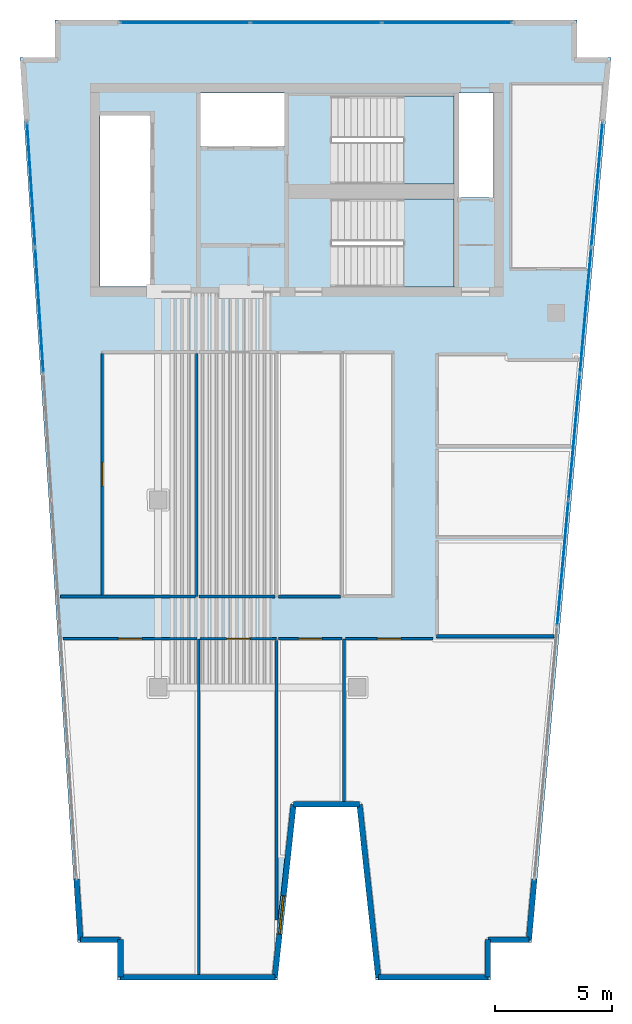
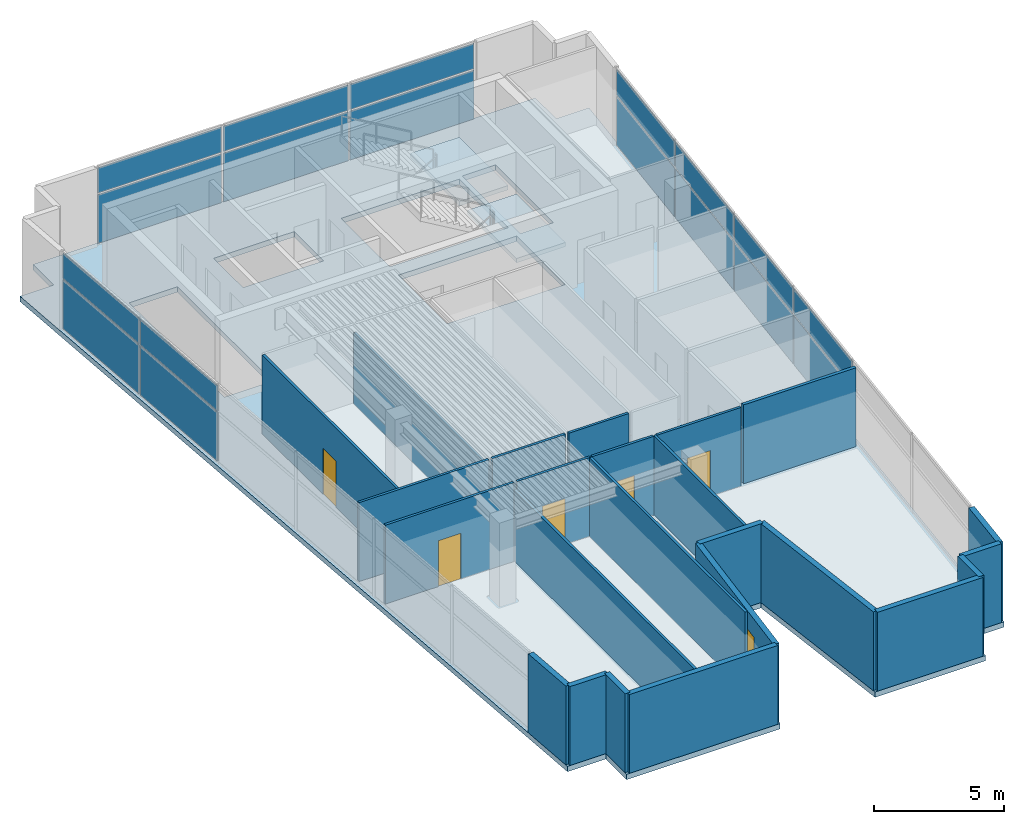
# One storey, part 3 of 7: 24 walls, 18 plates, 5 doors, 3 slabs, 1 window, 6 openings, 5 elements without a shape of their own.
"""IFC4 building model written with IfcOpenShell, lengths in metres."""

from ifc_helpers import new_model, si_unit, direction, frame, frame_2d, origin, origin_2d, place, context, subcontext, project, spatial, polyline, rectangle, outline, extrude, material, layer, layer_set, type_object, element, fill, aggregate, save


model = new_model("IFC4")

# Units and contexts
model_context = context("Model", 3, precision=1e-05, world=origin(), true_north=direction((0.0, 1.0)))
body_context = subcontext(model_context, "Body", "Model", "MODEL_VIEW")
ifc_project = project(units=[si_unit("LENGTHUNIT", "METRE"), si_unit("AREAUNIT", "SQUARE_METRE"), si_unit("VOLUMEUNIT", "CUBIC_METRE"), si_unit("PLANEANGLEUNIT", "RADIAN"), si_unit("MASSUNIT", "GRAM", prefix="KILO")], contexts=[model_context])

# Site, building, storey
site_placement = place(None, origin())
site = spatial("IfcSite", under=ifc_project, at=site_placement, CompositionType="ELEMENT")
building_placement = place(site_placement, origin())
building = spatial("IfcBuilding", under=site, at=building_placement, Name="Caeloran Harvest Quay", CompositionType="ELEMENT")
storey_placement = place(building_placement, frame((0.0, 0.0, 304.10009765625)))
storey = spatial("IfcBuildingStorey", under=building, at=storey_placement, Name="L73", CompositionType="ELEMENT", Elevation=304.10009765625)

# Curtain wall, plates
ifc_material_1 = material(Name="Aluminium 6063-T6 and Low-E Glazing", Category="aluminium")
ifc_layer_1 = layer(ifc_material_1, 0.239990234375, Name="Aluminium 6063-T6 and Low-E Glazing")
ifc_layer_set_1 = layer_set([ifc_layer_1], Name="Aluminium 6063-T6 and Low-E Glazing")
curtain_wall_type = type_object("IfcCurtainWallType", Name="CW-SYS-CW-7", PredefinedType="USERDEFINED", material=ifc_layer_set_1)
curtain_wall_1_placement = place(storey_placement, origin())
curtain_wall_1 = element("IfcCurtainWall", 1, at=curtain_wall_1_placement, inside=storey, type_object=curtain_wall_type, Name="L73 Unitised Curtain Wall CW-7 Run 3", ObjectType="CURTAIN_WALL", PredefinedType="USERDEFINED")
ifc_material_2 = material(Name="Low-E Double Glazed Vision Glass Unit", Category="glass")
ifc_layer_2 = layer(ifc_material_2, 0.035888671875, Name="Low-E Double Glazed Vision Glass Unit")
ifc_layer_set_2 = layer_set([ifc_layer_2], Name="Low-E Double Glazed Vision Glass Unit")
plate_type = type_object("IfcPlateType", Name="CW-VISION-PANEL", PredefinedType="CURTAIN_PANEL", material=ifc_layer_set_2)
plate_1_placement = place(storey_placement, frame((3.430419921875, 31.0927734375, 0.080078125), z_axis=(0.0, 0.0, 1.0), x_axis=(-0.065166552901, 0.997874401106, 0.0)))
plate_1 = element("IfcPlate", 2, at=plate_1_placement, type_object=plate_type, Name="CW-7 panel 5.1", PredefinedType="CURTAIN_PANEL", context=body_context, shape_type="SweptSolid", body=[
    extrude(rectangle(XDim=5.32666015625, YDim=0.035888671875, at=origin_2d()), origin(), (0.0, 0.0, 1.0), 2.280029296875),
])
plate_2_placement = place(storey_placement, frame((3.430419921875, 31.0927734375, 2.43994140625), z_axis=(0.0, 0.0, 1.0), x_axis=(-0.065166552901, 0.997874401106, 0.0)))
plate_2 = element("IfcPlate", 3, at=plate_2_placement, type_object=plate_type, Name="CW-7 panel 5.2", PredefinedType="CURTAIN_PANEL", context=body_context, shape_type="SweptSolid", body=[
    extrude(rectangle(XDim=5.32666015625, YDim=0.035888671875, at=origin_2d()), origin(), (0.0, 0.0, 1.0), 1.179931640625),
])
plate_3_placement = place(storey_placement, frame((3.07958984375, 36.468017578125, 0.080078125), z_axis=(0.0, 0.0, 1.0), x_axis=(-0.065166552901, 0.997874401106, 0.0)))
plate_3 = element("IfcPlate", 4, at=plate_3_placement, type_object=plate_type, Name="CW-7 panel 6.1", PredefinedType="CURTAIN_PANEL", context=body_context, shape_type="SweptSolid", body=[
    extrude(rectangle(XDim=5.28662109375, YDim=0.035888671875, at=origin_2d()), origin(), (0.0, 0.0, 1.0), 2.280029296875),
])
plate_4_placement = place(storey_placement, frame((3.07958984375, 36.468017578125, 2.43994140625), z_axis=(0.0, 0.0, 1.0), x_axis=(-0.065166552901, 0.997874401106, 0.0)))
plate_4 = element("IfcPlate", 5, at=plate_4_placement, type_object=plate_type, Name="CW-7 panel 6.2", PredefinedType="CURTAIN_PANEL", context=body_context, shape_type="SweptSolid", body=[
    extrude(rectangle(XDim=5.28662109375, YDim=0.035888671875, at=origin_2d()), origin(), (0.0, 0.0, 1.0), 1.179931640625),
])
aggregate(curtain_wall_1, [plate_1, plate_2, plate_3, plate_4])

curtain_wall_2_placement = place(storey_placement, origin())
curtain_wall_2 = element("IfcCurtainWall", 6, at=curtain_wall_2_placement, inside=storey, type_object=curtain_wall_type, Name="L73 Unitised Curtain Wall CW-7 Run 6", ObjectType="CURTAIN_WALL", PredefinedType="USERDEFINED")
plate_5_placement = place(storey_placement, frame((9.64990234375, 43.3798828125, 0.080078125), z_axis=(0.0, 0.0, 1.0), x_axis=(1.0, 0.0, 0.0)))
plate_5 = element("IfcPlate", 7, at=plate_5_placement, type_object=plate_type, Name="CW-7 panel 1.1", PredefinedType="CURTAIN_PANEL", context=body_context, shape_type="SweptSolid", body=[
    extrude(rectangle(XDim=5.5, YDim=0.035888671875, at=origin_2d()), origin(), (0.0, 0.0, 1.0), 2.280029296875),
])
plate_6_placement = place(storey_placement, frame((9.64990234375, 43.3798828125, 2.43994140625), z_axis=(0.0, 0.0, 1.0), x_axis=(1.0, 0.0, 0.0)))
plate_6 = element("IfcPlate", 8, at=plate_6_placement, type_object=plate_type, Name="CW-7 panel 1.2", PredefinedType="CURTAIN_PANEL", context=body_context, shape_type="SweptSolid", body=[
    extrude(rectangle(XDim=5.5, YDim=0.035888671875, at=origin_2d()), origin(), (0.0, 0.0, 1.0), 1.179931640625),
])
plate_7_placement = place(storey_placement, frame((15.25, 43.3798828125, 0.080078125), z_axis=(0.0, 0.0, 1.0), x_axis=(1.0, 0.0, 0.0)))
plate_7 = element("IfcPlate", 9, at=plate_7_placement, type_object=plate_type, Name="CW-7 panel 2.1", PredefinedType="CURTAIN_PANEL", context=body_context, shape_type="SweptSolid", body=[
    extrude(rectangle(XDim=5.5400390625, YDim=0.035888671875, at=origin_2d()), origin(), (0.0, 0.0, 1.0), 2.280029296875),
])
plate_8_placement = place(storey_placement, frame((15.25, 43.3798828125, 2.43994140625), z_axis=(0.0, 0.0, 1.0), x_axis=(1.0, 0.0, 0.0)))
plate_8 = element("IfcPlate", 10, at=plate_8_placement, type_object=plate_type, Name="CW-7 panel 2.2", PredefinedType="CURTAIN_PANEL", context=body_context, shape_type="SweptSolid", body=[
    extrude(rectangle(XDim=5.5400390625, YDim=0.035888671875, at=origin_2d()), origin(), (0.0, 0.0, 1.0), 1.179931640625),
])
plate_9_placement = place(storey_placement, frame((20.85009765625, 43.3798828125, 0.080078125), z_axis=(0.0, 0.0, 1.0), x_axis=(1.0, 0.0, 0.0)))
plate_9 = element("IfcPlate", 11, at=plate_9_placement, type_object=plate_type, Name="CW-7 panel 3.1", PredefinedType="CURTAIN_PANEL", context=body_context, shape_type="SweptSolid", body=[
    extrude(rectangle(XDim=5.5, YDim=0.035888671875, at=origin_2d()), origin(), (0.0, 0.0, 1.0), 2.280029296875),
])
plate_10_placement = place(storey_placement, frame((20.85009765625, 43.3798828125, 2.43994140625), z_axis=(0.0, 0.0, 1.0), x_axis=(1.0, 0.0, 0.0)))
plate_10 = element("IfcPlate", 12, at=plate_10_placement, type_object=plate_type, Name="CW-7 panel 3.2", PredefinedType="CURTAIN_PANEL", context=body_context, shape_type="SweptSolid", body=[
    extrude(rectangle(XDim=5.5, YDim=0.035888671875, at=origin_2d()), origin(), (0.0, 0.0, 1.0), 1.179931640625),
])
aggregate(curtain_wall_2, [plate_5, plate_6, plate_7, plate_8, plate_9, plate_10])

curtain_wall_3_placement = place(storey_placement, origin())
curtain_wall_3 = element("IfcCurtainWall", 13, at=curtain_wall_3_placement, inside=storey, type_object=curtain_wall_type, Name="L73 Unitised Curtain Wall CW-7 Run 9", ObjectType="CURTAIN_WALL", PredefinedType="USERDEFINED")
plate_11_placement = place(storey_placement, frame((27.245849609375, 36.47216796875, 0.080078125), z_axis=(0.0, 0.0, 1.0), x_axis=(-0.089821065146, -0.995957918918, 0.0)))
plate_11 = element("IfcPlate", 14, at=plate_11_placement, type_object=plate_type, Name="CW-7 panel 1.1", PredefinedType="CURTAIN_PANEL", context=body_context, shape_type="SweptSolid", body=[
    extrude(rectangle(XDim=5.298828125, YDim=0.035888671875, at=origin_2d()), origin(), (0.0, 0.0, 1.0), 2.280029296875),
])
plate_12_placement = place(storey_placement, frame((27.245849609375, 36.47216796875, 2.43994140625), z_axis=(0.0, 0.0, 1.0), x_axis=(-0.089821065146, -0.995957918918, 0.0)))
plate_12 = element("IfcPlate", 15, at=plate_12_placement, type_object=plate_type, Name="CW-7 panel 1.2", PredefinedType="CURTAIN_PANEL", context=body_context, shape_type="SweptSolid", body=[
    extrude(rectangle(XDim=5.298828125, YDim=0.035888671875, at=origin_2d()), origin(), (0.0, 0.0, 1.0), 1.179931640625),
])
plate_13_placement = place(storey_placement, frame((26.7607421875, 31.09521484375, 0.080078125), z_axis=(0.0, 0.0, 1.0), x_axis=(-0.089821065146, -0.995957918918, 0.0)))
plate_13 = element("IfcPlate", 16, at=plate_13_placement, type_object=plate_type, Name="CW-7 panel 2.1", PredefinedType="CURTAIN_PANEL", context=body_context, shape_type="SweptSolid", body=[
    extrude(rectangle(XDim=5.338623046875, YDim=0.035888671875, at=origin_2d()), origin(), (0.0, 0.0, 1.0), 2.280029296875),
])
plate_14_placement = place(storey_placement, frame((26.7607421875, 31.09521484375, 2.43994140625), z_axis=(0.0, 0.0, 1.0), x_axis=(-0.089821065146, -0.995957918918, 0.0)))
plate_14 = element("IfcPlate", 17, at=plate_14_placement, type_object=plate_type, Name="CW-7 panel 2.2", PredefinedType="CURTAIN_PANEL", context=body_context, shape_type="SweptSolid", body=[
    extrude(rectangle(XDim=5.338623046875, YDim=0.035888671875, at=origin_2d()), origin(), (0.0, 0.0, 1.0), 1.179931640625),
])
plate_15_placement = place(storey_placement, frame((26.274169921875, 25.698486328125, 0.080078125), z_axis=(0.0, 0.0, 1.0), x_axis=(-0.089821065146, -0.995957918918, 0.0)))
plate_15 = element("IfcPlate", 18, at=plate_15_placement, type_object=plate_type, Name="CW-7 panel 3.1", PredefinedType="CURTAIN_PANEL", context=body_context, shape_type="SweptSolid", body=[
    extrude(rectangle(XDim=5.338623046875, YDim=0.035888671875, at=origin_2d()), origin(), (0.0, 0.0, 1.0), 2.280029296875),
])
plate_16_placement = place(storey_placement, frame((26.274169921875, 25.698486328125, 2.43994140625), z_axis=(0.0, 0.0, 1.0), x_axis=(-0.089821065146, -0.995957918918, 0.0)))
plate_16 = element("IfcPlate", 19, at=plate_16_placement, type_object=plate_type, Name="CW-7 panel 3.2", PredefinedType="CURTAIN_PANEL", context=body_context, shape_type="SweptSolid", body=[
    extrude(rectangle(XDim=5.338623046875, YDim=0.035888671875, at=origin_2d()), origin(), (0.0, 0.0, 1.0), 1.179931640625),
])
plate_17_placement = place(storey_placement, frame((25.787353515625, 20.301513671875, 0.080078125), z_axis=(0.0, 0.0, 1.0), x_axis=(-0.089821065146, -0.995957918918, 0.0)))
plate_17 = element("IfcPlate", 20, at=plate_17_placement, type_object=plate_type, Name="CW-7 panel 4.1", PredefinedType="CURTAIN_PANEL", context=body_context, shape_type="SweptSolid", body=[
    extrude(rectangle(XDim=5.338623046875, YDim=0.035888671875, at=origin_2d()), origin(), (0.0, 0.0, 1.0), 2.280029296875),
])
plate_18_placement = place(storey_placement, frame((25.787353515625, 20.301513671875, 2.43994140625), z_axis=(0.0, 0.0, 1.0), x_axis=(-0.089821065146, -0.995957918918, 0.0)))
plate_18 = element("IfcPlate", 21, at=plate_18_placement, type_object=plate_type, Name="CW-7 panel 4.2", PredefinedType="CURTAIN_PANEL", context=body_context, shape_type="SweptSolid", body=[
    extrude(rectangle(XDim=5.338623046875, YDim=0.035888671875, at=origin_2d()), origin(), (0.0, 0.0, 1.0), 1.179931640625),
])
aggregate(curtain_wall_3, [plate_11, plate_12, plate_13, plate_14, plate_15, plate_16, plate_17, plate_18])

# Slab
ifc_material_3 = material(Name="Concrete C50/60", Category="concrete")
ifc_layer_3 = layer(ifc_material_3, 0.25, Name="Concrete C50/60")
ifc_layer_set_3 = layer_set([ifc_layer_3], Name="Concrete C50/60")
slab_type_1 = type_object("IfcSlabType", Name="SLAB-FS-250", PredefinedType="FLOOR", material=ifc_layer_set_3)
slab_1_placement = place(storey_placement, frame((0.0, 0.0, -0.25)))
element("IfcSlab", 22, at=slab_1_placement, inside=storey, type_object=slab_type_1, Name="L73 Structural Floor Slab", PredefinedType="FLOOR", context=body_context, shape_type="SweptSolid", body=[
    extrude(outline(polyline([(6.777587890625, 2.5), (13.592529296875, 2.5), (14.392578125, 9.8798828125), (17.0, 9.8798828125), (17.800048828125, 2.5), (22.702392578125, 2.5), (22.702392578125, 4.10009765625), (24.44677734375, 4.10009765625), (27.855712890625, 41.89990234375), (26.39990234375, 41.89990234375), (26.39990234375, 43.5), (4.10009765625, 43.5), (4.10009765625, 41.89990234375), (2.6044921875, 41.89990234375), (5.072998046875, 4.10009765625), (6.777587890625, 4.10009765625), (6.777587890625, 2.5)]), holes=[polyline([(21.14990234375, 32.10009765625), (15.89990234375, 32.10009765625), (15.89990234375, 35.85009765625), (21.14990234375, 35.85009765625), (21.14990234375, 32.10009765625)]), polyline([(8.159912109375, 39.419921875), (8.159912109375, 32.1201171875), (6.02001953125, 32.1201171875), (6.02001953125, 39.419921875), (8.159912109375, 39.419921875)]), polyline([(22.830078125, 40.3798828125), (22.830078125, 35.919921875), (21.35009765625, 35.919921875), (21.35009765625, 40.3798828125), (22.830078125, 40.3798828125)]), polyline([(15.89990234375, 36.5), (15.89990234375, 40.25), (21.14990234375, 40.25), (21.14990234375, 36.5), (15.89990234375, 36.5)]), polyline([(13.89990234375, 38.1201171875), (10.320068359375, 38.1201171875), (10.320068359375, 40.3798828125), (13.89990234375, 40.3798828125), (13.89990234375, 38.1201171875)])]), origin(), (0.0, 0.0, 1.0), 0.25),
])

# Stair, slab
stair_type = type_object("IfcStairType", Name="STAIR-STC-180", PredefinedType="HALF_TURN_STAIR", material=ifc_material_3)
stair_1_placement = place(storey_placement, origin())
stair_1 = element("IfcStair", 23, at=stair_1_placement, inside=storey, type_object=stair_type, Name="L73 Core Pressurized Exit Stair ST-C1", PredefinedType="HALF_TURN_STAIR")
ifc_layer_4 = layer(ifc_material_3, 0.219970703125, Name="Concrete C50/60")
ifc_layer_set_4 = layer_set([ifc_layer_4], Name="Concrete C50/60")
slab_type_2 = type_object("IfcSlabType", Name="STAIR-LANDING-220", PredefinedType="LANDING", material=ifc_layer_set_4)
slab_2_placement = place(storey_placement, frame((0.0, 0.0, 1.77490234375)))
slab_2 = element("IfcSlab", 24, at=slab_2_placement, type_object=slab_type_2, Name="ST-C1 landing 1", PredefinedType="LANDING", context=body_context, shape_type="SweptSolid", body=[
    extrude(outline(polyline([(18.97998046875, 36.5), (21.14990234375, 36.5), (21.14990234375, 40.25), (18.97998046875, 40.25), (18.97998046875, 36.5)])), origin(), (0.0, 0.0, 1.0), 0.199951171875),
])
aggregate(stair_1, [slab_2])

stair_2_placement = place(storey_placement, origin())
stair_2 = element("IfcStair", 25, at=stair_2_placement, inside=storey, type_object=stair_type, Name="L73 Core Pressurized Exit Stair ST-C2", PredefinedType="HALF_TURN_STAIR")
slab_3_placement = place(storey_placement, frame((0.0, 0.0, 1.77490234375)))
slab_3 = element("IfcSlab", 26, at=slab_3_placement, type_object=slab_type_2, Name="ST-C2 landing 1", PredefinedType="LANDING", context=body_context, shape_type="SweptSolid", body=[
    extrude(outline(polyline([(18.97998046875, 32.10009765625), (21.14990234375, 32.10009765625), (21.14990234375, 35.85009765625), (18.97998046875, 35.85009765625), (18.97998046875, 32.10009765625)])), origin(), (0.0, 0.0, 1.0), 0.199951171875),
])
aggregate(stair_2, [slab_3])

# Walls
ifc_material_4 = material(Name="Precast concrete C50/60", Category="concrete")
ifc_layer_5 = layer(ifc_material_4, 0.239990234375, Name="Precast concrete C50/60")
ifc_layer_set_5 = layer_set([ifc_layer_5], Name="Precast concrete C50/60")
wall_type_1 = type_object("IfcWallType", Name="ENV-WALL-EW-240", PredefinedType="STANDARD", material=ifc_layer_set_5)
wall_1_placement = place(storey_placement, frame((6.8974609375, 2.6201171875, 0.0), z_axis=(0.0, 0.0, 1.0), x_axis=(0.0, 1.0, 0.0)))
element("IfcWall", 27, at=wall_1_placement, inside=storey, type_object=wall_type_1, Name="L73 Exterior Precast Concrete Facade Wall 1", PredefinedType="STANDARD", context=body_context, shape_type="SweptSolid", body=[
    extrude(rectangle(XDim=1.599853515625, YDim=0.239990234375, at=frame_2d((0.7998046875, 0.0))), origin(), (0.0, 0.0, 1.0), 3.699951171875),
])
wall_2_placement = place(storey_placement, frame((6.8974609375, 4.219970703125, 0.0), z_axis=(0.0, 0.0, 1.0), x_axis=(-1.0, 0.0, 0.0)))
element("IfcWall", 28, at=wall_2_placement, inside=storey, type_object=wall_type_1, Name="L73 Exterior Precast Concrete Facade Wall 2", PredefinedType="STANDARD", context=body_context, shape_type="SweptSolid", body=[
    extrude(rectangle(XDim=1.712158203125, YDim=0.239990234375, at=frame_2d((0.85595703125, 0.0))), origin(), (0.0, 0.0, 1.0), 3.699951171875),
])
for number, where, z_axis, x_axis, name in (
    (29, (5.185302734375, 4.219970703125, 0.0), (0.0, 0.0, 1.0), (-0.065073039336, 0.997880503643, 0.0), "L73 Exterior Facade Corner Pier Wall 3A"),
    (30, (24.570556640625, 6.8095703125, 0.0), (0.0, 0.0, 1.0), (-0.089765303723, -0.995962946222, 0.0), "L73 Exterior Facade Corner Pier Wall 9B"),
):
    element("IfcWall", number, at=place(storey_placement, frame(where, z_axis=z_axis, x_axis=x_axis)), inside=storey, type_object=wall_type_1, Name=name, PredefinedType="STANDARD", context=body_context, shape_type="SweptSolid", body=[
        extrude(rectangle(XDim=2.60009765625, YDim=0.239990234375, at=frame_2d((1.300048828125, 0.0))), origin(), (0.0, 0.0, 1.0), 3.699951171875),
    ])
wall_3_placement = place(storey_placement, frame((24.337158203125, 4.219970703125, 0.0), z_axis=(0.0, 0.0, 1.0), x_axis=(-1.0, 0.0, 0.0)))
element("IfcWall", 31, at=wall_3_placement, inside=storey, type_object=wall_type_1, Name="L73 Exterior Precast Concrete Facade Wall 10", PredefinedType="STANDARD", context=body_context, shape_type="SweptSolid", body=[
    extrude(rectangle(XDim=1.754638671875, YDim=0.239990234375, at=frame_2d((0.87744140625, 0.0))), origin(), (0.0, 0.0, 1.0), 3.699951171875),
])
wall_4_placement = place(storey_placement, frame((22.58251953125, 4.219970703125, 0.0), z_axis=(0.0, 0.0, 1.0), x_axis=(0.0, -1.0, 0.0)))
element("IfcWall", 32, at=wall_4_placement, inside=storey, type_object=wall_type_1, Name="L73 Exterior Precast Concrete Facade Wall 11", PredefinedType="STANDARD", context=body_context, shape_type="SweptSolid", body=[
    extrude(rectangle(XDim=1.599853515625, YDim=0.239990234375, at=frame_2d((0.7998046875, 0.0))), origin(), (0.0, 0.0, 1.0), 3.699951171875),
])
wall_5_placement = place(storey_placement, frame((22.58251953125, 2.6201171875, 0.0), z_axis=(0.0, 0.0, 1.0), x_axis=(-1.0, 0.0, 0.0)))
element("IfcWall", 33, at=wall_5_placement, inside=storey, type_object=wall_type_1, Name="L73 Exterior Precast Concrete Facade Wall 12", PredefinedType="STANDARD", context=body_context, shape_type="SweptSolid", body=[
    extrude(rectangle(XDim=4.6748046875, YDim=0.239990234375, at=frame_2d((2.33740234375, 0.0))), origin(), (0.0, 0.0, 1.0), 3.699951171875),
])
wall_6_placement = place(storey_placement, frame((17.90771484375, 2.6201171875, 0.0), z_axis=(0.0, 0.0, 1.0), x_axis=(-0.107777936076, 0.994174992894, 0.0)))
element("IfcWall", 34, at=wall_6_placement, inside=storey, type_object=wall_type_1, Name="L73 Exterior Precast Concrete Facade Wall 13", PredefinedType="STANDARD", context=body_context, shape_type="SweptSolid", body=[
    extrude(rectangle(XDim=7.423095703125, YDim=0.239990234375, at=frame_2d((3.71142578125, 0.0))), origin(), (0.0, 0.0, 1.0), 3.699951171875),
])
wall_7_placement = place(storey_placement, frame((17.107666015625, 10.0, 0.0), z_axis=(0.0, 0.0, 1.0), x_axis=(-1.0, 0.0, 0.0)))
element("IfcWall", 35, at=wall_7_placement, inside=storey, type_object=wall_type_1, Name="L73 Exterior Precast Concrete Facade Wall 14", PredefinedType="STANDARD", context=body_context, shape_type="SweptSolid", body=[
    extrude(rectangle(XDim=2.82275390625, YDim=0.239990234375, at=frame_2d((1.411376953125, 0.0))), origin(), (0.0, 0.0, 1.0), 3.699951171875),
])

# Wall, opening, window
wall_8_placement = place(storey_placement, frame((14.284912109375, 10.0, 0.0), z_axis=(0.0, 0.0, 1.0), x_axis=(-0.107777936076, -0.994174992894, 0.0)))
wall_8 = element("IfcWall", 36, at=wall_8_placement, inside=storey, type_object=wall_type_1, Name="L73 Exterior Precast Concrete Facade Wall 15", PredefinedType="STANDARD", context=body_context, shape_type="SweptSolid", body=[
    extrude(rectangle(XDim=7.423095703125, YDim=0.239990234375, at=frame_2d((3.71142578125, 0.0))), origin(), (0.0, 0.0, 1.0), 3.699951171875),
])
opening_1_placement = place(wall_8_placement, frame((3.926025390625, 0.0, 0.89990234375)))
opening_1 = element("IfcOpeningElement", 37, at=opening_1_placement, cuts=wall_8, Name="Opening W-08", PredefinedType="OPENING", context=body_context, shape_type="SweptSolid", body=[
    extrude(rectangle(XDim=1.64990234375, YDim=1.949951171875, at=frame_2d((0.824951171875, 0.97509765625))), frame((0.0, 0.1298828125, 0.0), z_axis=(0.0, -1.0, 0.0), x_axis=(1.0, 0.0, 0.0)), (0.0, 0.0, 1.0), 0.260009765625),
])
ifc_material_5 = material(Name="Aluminium-Framed Low-E Laminated Glass", Category="aluminium")
window_type = type_object("IfcWindowType", Name="WIN-W-08", PartitioningType="SINGLE_PANEL", PredefinedType="WINDOW", material=ifc_material_5)
window_placement = place(opening_1_placement, origin())
window = element("IfcWindow", 38, at=window_placement, inside=storey, type_object=window_type, Name="L73 Facade Punched Window W-08", OverallHeight=1.949951171875, OverallWidth=1.64990234375, PartitioningType="SINGLE_PANEL", PredefinedType="WINDOW", context=body_context, shape_type="SweptSolid", body=[
    extrude(rectangle(XDim=1.64990234375, YDim=1.949951171875, at=frame_2d((0.824951171875, 0.97509765625))), frame((0.0, 0.030029296875, 0.0), z_axis=(0.0, -1.0, 0.0), x_axis=(1.0, 0.0, 0.0)), (0.0, 0.0, 1.0), 0.06005859375),
])
fill(opening_1, window)

# Walls
wall_9_placement = place(storey_placement, frame((13.48486328125, 2.6201171875, 0.0), z_axis=(0.0, 0.0, 1.0), x_axis=(-1.0, 0.0, 0.0)))
element("IfcWall", 39, at=wall_9_placement, inside=storey, type_object=wall_type_1, Name="L73 Exterior Precast Concrete Facade Wall 16", PredefinedType="STANDARD", context=body_context, shape_type="SweptSolid", body=[
    extrude(rectangle(XDim=6.58740234375, YDim=0.239990234375, at=frame_2d((3.293701171875, 0.0))), origin(), (0.0, 0.0, 1.0), 3.699951171875),
])
ifc_material_6 = material(Name="Single-Stud Acoustic Gypsum Office Partition", Category="gypsum")
ifc_layer_6 = layer(ifc_material_6, 0.112060546875, Name="Single-Stud Acoustic Gypsum Office Partition")
ifc_layer_set_6 = layer_set([ifc_layer_6], Name="Single-Stud Acoustic Gypsum Office Partition")
wall_type_2 = type_object("IfcWallType", Name="INT-WALL-PW-112", PredefinedType="PARTITIONING", material=ifc_layer_set_6)
wall_10_placement = place(storey_placement, frame((10.239990234375, 2.7451171875, 0.0), z_axis=(0.0, 0.0, 1.0), x_axis=(0.0, 1.0, 0.0)))
element("IfcWall", 40, at=wall_10_placement, inside=storey, type_object=wall_type_2, Name="West Harbour Tasting Kitchen Partition Wall", PredefinedType="PARTITIONING", context=body_context, shape_type="SweptSolid", body=[
    extrude(rectangle(XDim=14.324951171875, YDim=0.112060546875, at=frame_2d((7.16259765625, 0.0))), origin(), (0.0, 0.0, 1.0), 3.324951171875),
])

# Wall, opening, door
wall_11_placement = place(storey_placement, frame((10.301025390625, 17.070068359375, 0.0), z_axis=(0.0, 0.0, 1.0), x_axis=(1.0, 0.0, 0.0)))
wall_11 = element("IfcWall", 41, at=wall_11_placement, inside=storey, type_object=wall_type_2, Name="West Harbour Tasting Kitchen Partition Wall", PredefinedType="PARTITIONING", context=body_context, shape_type="SweptSolid", body=[
    extrude(rectangle(XDim=3.259033203125, YDim=0.112060546875, at=frame_2d((1.62939453125, 0.0))), origin(), (0.0, 0.0, 1.0), 3.699951171875),
])
opening_2_placement = place(wall_11_placement, frame((1.12939453125, 0.0, 0.0)))
opening_2 = element("IfcOpeningElement", 42, at=opening_2_placement, cuts=wall_11, Name="Opening ID-01", PredefinedType="OPENING", context=body_context, shape_type="SweptSolid", body=[
    extrude(rectangle(XDim=1.0, YDim=2.14990234375, at=frame_2d((0.5, 1.074951171875))), frame((0.0, 0.06591796875, 0.0), z_axis=(0.0, -1.0, 0.0), x_axis=(1.0, 0.0, 0.0)), (0.0, 0.0, 1.0), 0.132080078125),
])
ifc_material_7 = material(Name="FSC Solid-Core Ash Timber and Acoustic Seal", Category="wood")
door_type = type_object("IfcDoorType", Name="INTDOOR-ID-01", OperationType="NOTDEFINED", PredefinedType="DOOR", material=ifc_material_7)
door_1_placement = place(opening_2_placement, origin())
door_1 = element("IfcDoor", 43, at=door_1_placement, inside=storey, type_object=door_type, Name="West Harbour Tasting Kitchen Access Door", OperationType="SINGLE_SWING_LEFT", OverallHeight=2.14990234375, OverallWidth=1.0, PredefinedType="DOOR", context=body_context, shape_type="SweptSolid", body=[
    extrude(rectangle(XDim=1.0, YDim=2.14990234375, at=frame_2d((0.5, 1.074951171875))), frame((0.0, 0.02490234375, 0.0), z_axis=(0.0, -1.0, 0.0), x_axis=(1.0, 0.0, 0.0)), (0.0, 0.0, 1.0), 0.050048828125),
])
fill(opening_2, door_1)

# Wall
wall_12_placement = place(storey_placement, frame((13.56005859375, 17.009033203125, 0.0), z_axis=(0.0, 0.0, 1.0), x_axis=(0.0, -1.0, 0.0)))
element("IfcWall", 44, at=wall_12_placement, inside=storey, type_object=wall_type_2, Name="West Harbour Tasting Kitchen Partition Wall", PredefinedType="PARTITIONING", context=body_context, shape_type="SweptSolid", body=[
    extrude(rectangle(XDim=11.950927734375, YDim=0.112060546875, at=frame_2d((5.9755859375, 0.0))), origin(), (0.0, 0.0, 1.0), 3.699951171875),
])

# Wall, opening, door
wall_13_placement = place(storey_placement, frame((4.451416015625, 17.070068359375, 0.0), z_axis=(0.0, 0.0, 1.0), x_axis=(1.0, 0.0, 0.0)))
wall_13 = element("IfcWall", 45, at=wall_13_placement, inside=storey, type_object=wall_type_2, Name="Executive Dining Kitchen Partition Wall", PredefinedType="PARTITIONING", context=body_context, shape_type="SweptSolid", body=[
    extrude(rectangle(XDim=5.70849609375, YDim=0.112060546875, at=frame_2d((2.854248046875, 0.0))), origin(), (0.0, 0.0, 1.0), 3.699951171875),
])
opening_3_placement = place(wall_13_placement, frame((2.354248046875, 0.0, 0.0)))
opening_3 = element("IfcOpeningElement", 46, at=opening_3_placement, cuts=wall_13, Name="Opening ID-01", PredefinedType="OPENING", context=body_context, shape_type="SweptSolid", body=[
    extrude(rectangle(XDim=1.0, YDim=2.14990234375, at=frame_2d((0.5, 1.074951171875))), frame((0.0, 0.06591796875, 0.0), z_axis=(0.0, -1.0, 0.0), x_axis=(1.0, 0.0, 0.0)), (0.0, 0.0, 1.0), 0.132080078125),
])
door_2_placement = place(opening_3_placement, origin())
door_2 = element("IfcDoor", 47, at=door_2_placement, inside=storey, type_object=door_type, Name="Executive Dining Kitchen Access Door", OperationType="SINGLE_SWING_RIGHT", OverallHeight=2.14990234375, OverallWidth=1.0, PredefinedType="DOOR", context=body_context, shape_type="SweptSolid", body=[
    extrude(rectangle(XDim=1.0, YDim=2.14990234375, at=frame_2d((0.5, 1.074951171875))), frame((0.0, 0.02490234375, 0.0), z_axis=(0.0, -1.0, 0.0), x_axis=(1.0, 0.0, 0.0)), (0.0, 0.0, 1.0), 0.050048828125),
])
fill(opening_3, door_2)

# Wall
wall_14_placement = place(storey_placement, frame((16.43994140625, 10.125, 0.0), z_axis=(0.0, 0.0, 1.0), x_axis=(0.0, 1.0, 0.0)))
element("IfcWall", 48, at=wall_14_placement, inside=storey, type_object=wall_type_2, Name="Sommelier Prep Kitchen Partition Wall", PredefinedType="PARTITIONING", context=body_context, shape_type="SweptSolid", body=[
    extrude(rectangle(XDim=6.945068359375, YDim=0.112060546875, at=frame_2d((3.47265625, 0.0))), origin(), (0.0, 0.0, 1.0), 3.699951171875),
])

# Wall, opening, door
wall_15_placement = place(storey_placement, frame((16.5009765625, 17.070068359375, 0.0), z_axis=(0.0, 0.0, 1.0), x_axis=(1.0, 0.0, 0.0)))
wall_15 = element("IfcWall", 49, at=wall_15_placement, inside=storey, type_object=wall_type_2, Name="Sommelier Prep Kitchen Partition Wall", PredefinedType="PARTITIONING", context=body_context, shape_type="SweptSolid", body=[
    extrude(rectangle(XDim=3.735107421875, YDim=0.112060546875, at=frame_2d((1.86767578125, 0.0))), origin(), (0.0, 0.0, 1.0), 3.699951171875),
])
opening_4_placement = place(wall_15_placement, frame((1.367431640625, 0.0, 0.0)))
opening_4 = element("IfcOpeningElement", 50, at=opening_4_placement, cuts=wall_15, Name="Opening ID-01", PredefinedType="OPENING", context=body_context, shape_type="SweptSolid", body=[
    extrude(rectangle(XDim=1.0, YDim=2.14990234375, at=frame_2d((0.5, 1.074951171875))), frame((0.0, 0.06591796875, 0.0), z_axis=(0.0, -1.0, 0.0), x_axis=(1.0, 0.0, 0.0)), (0.0, 0.0, 1.0), 0.132080078125),
])
door_3_placement = place(opening_4_placement, origin())
door_3 = element("IfcDoor", 51, at=door_3_placement, inside=storey, type_object=door_type, Name="Sommelier Prep Kitchen Access Door", OperationType="SINGLE_SWING_LEFT", OverallHeight=2.14990234375, OverallWidth=1.0, PredefinedType="DOOR", context=body_context, shape_type="SweptSolid", body=[
    extrude(rectangle(XDim=1.0, YDim=2.14990234375, at=frame_2d((0.5, 1.074951171875))), frame((0.0, 0.02490234375, 0.0), z_axis=(0.0, -1.0, 0.0), x_axis=(1.0, 0.0, 0.0)), (0.0, 0.0, 1.0), 0.050048828125),
])
fill(opening_4, door_3)

wall_16_placement = place(storey_placement, frame((13.639892578125, 17.070068359375, 0.0), z_axis=(0.0, 0.0, 1.0), x_axis=(1.0, 0.0, 0.0)))
wall_16 = element("IfcWall", 52, at=wall_16_placement, inside=storey, type_object=wall_type_2, Name="Crown Culinary Meeting Room Partition Wall", PredefinedType="PARTITIONING", context=body_context, shape_type="SweptSolid", body=[
    extrude(rectangle(XDim=2.72021484375, YDim=0.112060546875, at=frame_2d((1.360107421875, 0.0))), origin(), (0.0, 0.0, 1.0), 3.699951171875),
])
opening_5_placement = place(wall_16_placement, frame((0.860107421875, 0.0, 0.0)))
opening_5 = element("IfcOpeningElement", 53, at=opening_5_placement, cuts=wall_16, Name="Opening ID-01", PredefinedType="OPENING", context=body_context, shape_type="SweptSolid", body=[
    extrude(rectangle(XDim=1.0, YDim=2.14990234375, at=frame_2d((0.5, 1.074951171875))), frame((0.0, 0.06591796875, 0.0), z_axis=(0.0, -1.0, 0.0), x_axis=(1.0, 0.0, 0.0)), (0.0, 0.0, 1.0), 0.132080078125),
])
door_4_placement = place(opening_5_placement, origin())
door_4 = element("IfcDoor", 54, at=door_4_placement, inside=storey, type_object=door_type, Name="Crown Culinary Meeting Room Access Door", OperationType="SINGLE_SWING_RIGHT", OverallHeight=2.14990234375, OverallWidth=1.0, PredefinedType="DOOR", context=body_context, shape_type="SweptSolid", body=[
    extrude(rectangle(XDim=1.0, YDim=2.14990234375, at=frame_2d((0.5, 1.074951171875))), frame((0.0, 0.02490234375, 0.0), z_axis=(0.0, -1.0, 0.0), x_axis=(1.0, 0.0, 0.0)), (0.0, 0.0, 1.0), 0.050048828125),
])
fill(opening_5, door_4)

# Walls
wall_17_placement = place(storey_placement, frame((10.159912109375, 29.259033203125, 0.0), z_axis=(0.0, 0.0, 1.0), x_axis=(0.0, -1.0, 0.0)))
element("IfcWall", 55, at=wall_17_placement, inside=storey, type_object=wall_type_2, Name="Sky-Atrium Observation Lounge Partition Wall", PredefinedType="PARTITIONING", context=body_context, shape_type="SweptSolid", body=[
    extrude(rectangle(XDim=10.379150390625, YDim=0.112060546875, at=frame_2d((5.189453125, 0.0))), origin(), (0.0, 0.0, 1.0), 3.324951171875),
])
wall_18_placement = place(storey_placement, frame((10.09912109375, 18.8798828125, 0.0), z_axis=(0.0, 0.0, 1.0), x_axis=(-1.0, 0.0, 0.0)))
element("IfcWall", 56, at=wall_18_placement, inside=storey, type_object=wall_type_2, Name="Sky-Atrium Observation Lounge Partition Wall", PredefinedType="PARTITIONING", context=body_context, shape_type="SweptSolid", body=[
    extrude(rectangle(XDim=5.765869140625, YDim=0.112060546875, at=frame_2d((2.8828125, 0.0))), origin(), (0.0, 0.0, 1.0), 3.699951171875),
])

# Wall, opening, door
wall_19_placement = place(storey_placement, frame((6.110107421875, 18.94091796875, 0.0), z_axis=(0.0, 0.0, 1.0), x_axis=(0.0, 1.0, 0.0)))
wall_19 = element("IfcWall", 57, at=wall_19_placement, inside=storey, type_object=wall_type_2, Name="Sky-Atrium Observation Lounge Partition Wall", PredefinedType="PARTITIONING", context=body_context, shape_type="SweptSolid", body=[
    extrude(rectangle(XDim=10.318115234375, YDim=0.112060546875, at=frame_2d((5.1591796875, 0.0))), origin(), (0.0, 0.0, 1.0), 3.699951171875),
])
opening_6_placement = place(wall_19_placement, frame((4.658935546875, 0.0, 0.0)))
opening_6 = element("IfcOpeningElement", 58, at=opening_6_placement, cuts=wall_19, Name="Opening ID-01", PredefinedType="OPENING", context=body_context, shape_type="SweptSolid", body=[
    extrude(rectangle(XDim=1.0, YDim=2.14990234375, at=frame_2d((0.5, 1.074951171875))), frame((0.0, 0.06591796875, 0.0), z_axis=(0.0, -1.0, 0.0), x_axis=(1.0, 0.0, 0.0)), (0.0, 0.0, 1.0), 0.132080078125),
])
door_5_placement = place(opening_6_placement, origin())
door_5 = element("IfcDoor", 59, at=door_5_placement, inside=storey, type_object=door_type, Name="Sky-Atrium Observation Lounge Access Door", OperationType="SINGLE_SWING_LEFT", OverallHeight=2.14990234375, OverallWidth=1.0, PredefinedType="DOOR", context=body_context, shape_type="SweptSolid", body=[
    extrude(rectangle(XDim=1.0, YDim=2.14990234375, at=frame_2d((0.5, 1.074951171875))), frame((0.0, 0.02490234375, 0.0), z_axis=(0.0, -1.0, 0.0), x_axis=(1.0, 0.0, 0.0)), (0.0, 0.0, 1.0), 0.050048828125),
])
fill(opening_6, door_5)

# Walls
wall_20_placement = place(storey_placement, frame((13.4990234375, 18.8798828125, 0.0), z_axis=(0.0, 0.0, 1.0), x_axis=(-1.0, 0.0, 0.0)))
element("IfcWall", 60, at=wall_20_placement, inside=storey, type_object=wall_type_2, Name="Botanical Tea Kitchen Partition Wall", PredefinedType="PARTITIONING", context=body_context, shape_type="SweptSolid", body=[
    extrude(rectangle(XDim=3.259033203125, YDim=0.112060546875, at=frame_2d((1.62939453125, 0.0))), origin(), (0.0, 0.0, 1.0), 3.699951171875),
])
wall_21_placement = place(storey_placement, frame((16.299072265625, 18.8798828125, 0.0), z_axis=(0.0, 0.0, 1.0), x_axis=(-1.0, 0.0, 0.0)))
element("IfcWall", 61, at=wall_21_placement, inside=storey, type_object=wall_type_2, Name="West Harbour Tasting Kitchen 7 Partition Wall", PredefinedType="PARTITIONING", context=body_context, shape_type="SweptSolid", body=[
    extrude(rectangle(XDim=2.6591796875, YDim=0.112060546875, at=frame_2d((1.32958984375, 0.0))), origin(), (0.0, 0.0, 1.0), 3.699951171875),
])
ifc_material_8 = material(Name="Moisture-Resistant Cement-Board Sanitary Partition", Category="gypsum")
ifc_layer_7 = layer(ifc_material_8, 0.139892578125, Name="Moisture-Resistant Cement-Board Sanitary Partition")
ifc_layer_set_7 = layer_set([ifc_layer_7], Name="Moisture-Resistant Cement-Board Sanitary Partition")
wall_type_3 = type_object("IfcWallType", Name="INT-WALL-PW-140", PredefinedType="PARTITIONING", material=ifc_layer_set_7)
wall_22_placement = place(storey_placement, frame((25.400390625, 17.179931640625, 0.0), z_axis=(0.0, 0.0, 1.0), x_axis=(-1.0, 0.0, 0.0)))
element("IfcWall", 62, at=wall_22_placement, inside=storey, type_object=wall_type_3, Name="L73 Accessible Unisex Washroom WC Partition Wall", PredefinedType="PARTITIONING", context=body_context, shape_type="SweptSolid", body=[
    extrude(rectangle(XDim=5.00048828125, YDim=0.139892578125, at=frame_2d((2.500244140625, 0.0))), origin(), (0.0, 0.0, 1.0), 3.699951171875),
])

save(model, "model.ifc")
